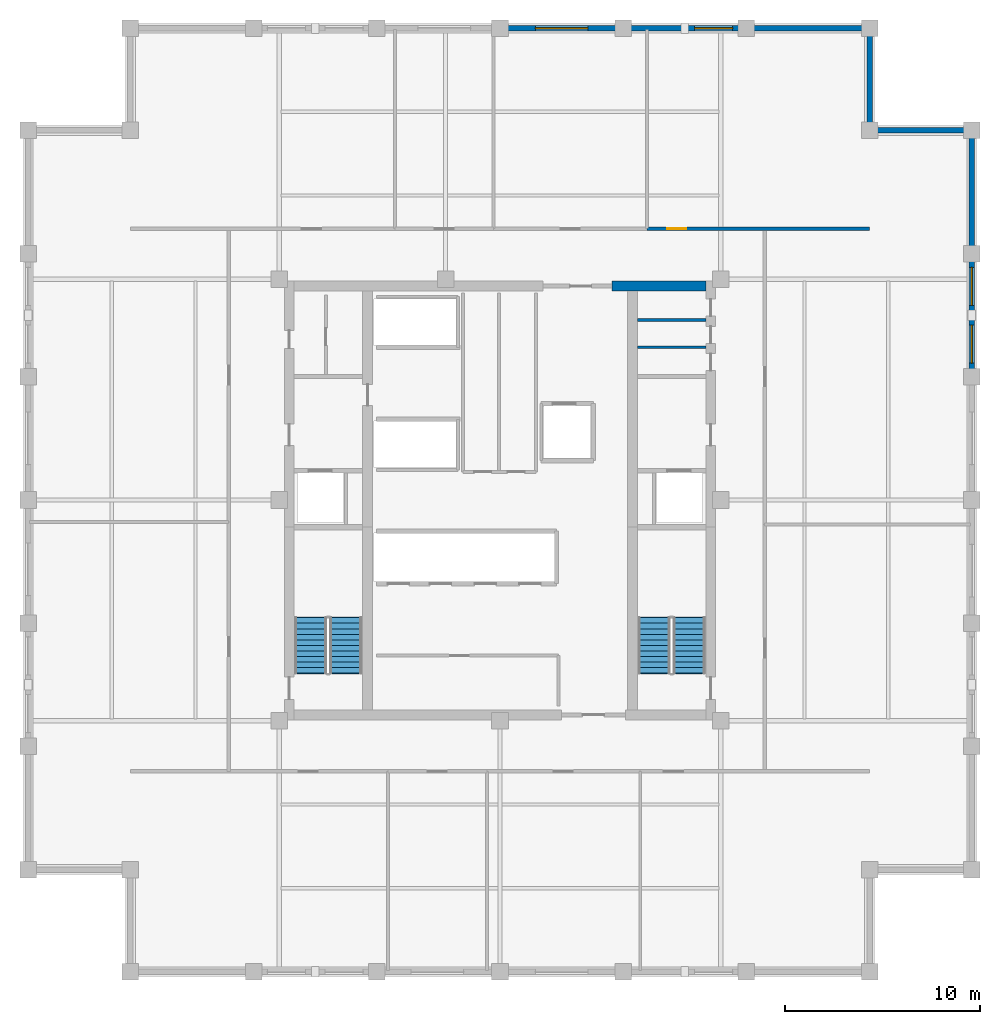
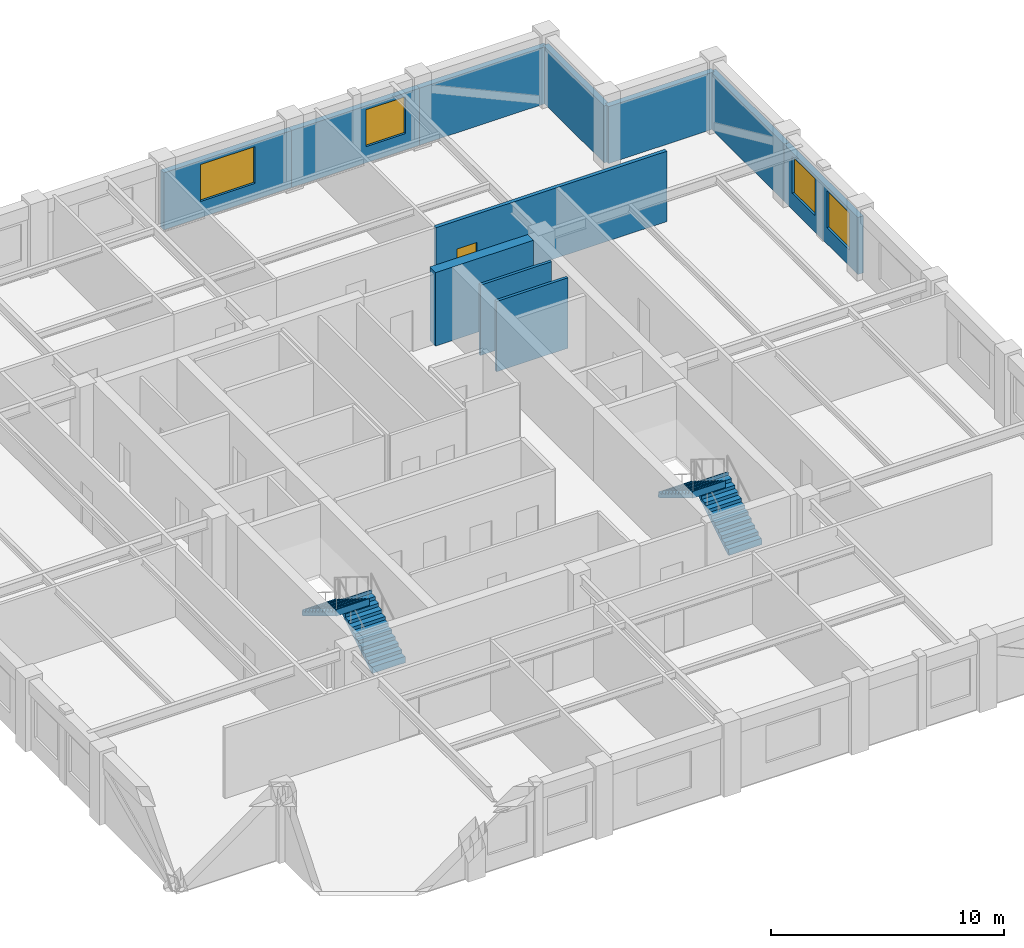
# One storey, part 5 of 6: 11 walls, 4 stair flights, 4 windows, 1 door, 5 openings, 2 elements without a shape of their own.
"""IFC4 building model written with IfcOpenShell, lengths in metres."""

from ifc_helpers import new_model, si_unit, direction, frame, frame_2d, origin, place, context, subcontext, project, spatial, polyline, rectangle, outline, extrude, material, layer, layer_set, type_object, element, fill, aggregate, save


model = new_model("IFC4")

# Units and contexts
model_context = context("Model", 3, precision=1e-05, world=origin(), true_north=direction((0.0, 1.0)))
body_context = subcontext(model_context, "Body", "Model", "MODEL_VIEW")
ifc_project = project(units=[si_unit("LENGTHUNIT", "METRE"), si_unit("AREAUNIT", "SQUARE_METRE"), si_unit("VOLUMEUNIT", "CUBIC_METRE"), si_unit("PLANEANGLEUNIT", "RADIAN"), si_unit("MASSUNIT", "GRAM", prefix="KILO")], contexts=[model_context])

# Site, building, storey
site_placement = place(None, origin())
site = spatial("IfcSite", under=ifc_project, at=site_placement, CompositionType="ELEMENT")
building_placement = place(site_placement, origin())
building = spatial("IfcBuilding", under=site, at=building_placement, Name="Nhamokura Convention Tower", CompositionType="ELEMENT")
storey_placement = place(building_placement, frame((0.0, 0.0, 202.300048828125)))
storey = spatial("IfcBuildingStorey", under=building, at=storey_placement, Name="L49", CompositionType="ELEMENT", Elevation=202.300048828125)

# Walls
ifc_material_1 = material(Name="Moisture-resistant tile-backer partition", Category="masonry")
ifc_layer_1 = layer(ifc_material_1, 0.139892578125)
ifc_layer_set_1 = layer_set([ifc_layer_1], Name="BathroomWetWall_140")
wall_type_1 = type_object("IfcWallType", Name="BathroomWetWall_140", PredefinedType="STANDARD", material=ifc_layer_set_1)
for number, where, z_axis, x_axis, name in (
    (1, (39.06005859375, 39.85009765625, 0.0), (0.0, 0.0, 1.0), (1.0, 0.0, 0.0), "L49 Wall INT-L49-CWNE1"),
    (2, (39.06005859375, 41.25, 0.0), (0.0, 0.0, 1.0), (1.0, 0.0, 0.0), "L49 Wall INT-L49-CWNE2"),
):
    element("IfcWall", number, at=place(storey_placement, frame(where, z_axis=z_axis, x_axis=x_axis)), inside=storey, type_object=wall_type_1, Name=name, PredefinedType="STANDARD", context=body_context, shape_type="SweptSolid", body=[
        extrude(rectangle(XDim=3.530029296875, YDim=0.139892578125, at=frame_2d((1.76513671875, 0.0))), origin(), (0.0, 0.0, 1.0), 3.68505859375),
    ])

# Wall, opening, window
ifc_material_2 = material(Name="Bronze-pigmented precast concrete C45/55", Category="concrete")
ifc_layer_2 = layer(ifc_material_2, 0.280029296875)
ifc_layer_set_2 = layer_set([ifc_layer_2], Name="BronzePrecastSpandrel_280")
wall_type_2 = type_object("IfcWallType", Name="BronzePrecastSpandrel_280", PredefinedType="USERDEFINED", material=ifc_layer_set_2)
wall_1_placement = place(storey_placement, frame((32.0, 56.25, 0.0), z_axis=(0.0, 0.0, 1.0), x_axis=(1.0, 0.0, 0.0)))
wall_1 = element("IfcWall", 3, at=wall_1_placement, inside=storey, type_object=wall_type_2, Name="L49 Masonry-Frame Wall NORTH 3", ObjectType="SPANDREL_WALL", PredefinedType="USERDEFINED", context=body_context, shape_type="SweptSolid", body=[
    extrude(rectangle(XDim=6.333251953125, YDim=0.280029296875, at=frame_2d((3.16650390625, 0.0))), origin(), (0.0, 0.0, 1.0), 2.98486328125),
])
opening_1_placement = place(wall_1_placement, frame((1.816650390625, 0.0, 0.85009765625)))
opening_1 = element("IfcOpeningElement", 4, at=opening_1_placement, cuts=wall_1, Name="Opening W-07", PredefinedType="OPENING", context=body_context, shape_type="SweptSolid", body=[
    extrude(rectangle(XDim=2.699951171875, YDim=1.93505859375, at=frame_2d((1.35009765625, 0.967529296875))), frame((0.0, 0.14990234375, 0.0), z_axis=(0.0, -1.0, 0.0), x_axis=(1.0, 0.0, 0.0)), (0.0, 0.0, 1.0), 0.300048828125),
])
ifc_material_3 = material(Name="Solar-control bronze low-E double glass", Category="glass")
window_type_1 = type_object("IfcWindowType", Name="OfficeModuleWindow_Z3_2700", PartitioningType="DOUBLE_PANEL_VERTICAL", PredefinedType="WINDOW", material=ifc_material_3)
window_1_placement = place(opening_1_placement, origin())
window_1 = element("IfcWindow", 5, at=window_1_placement, inside=storey, type_object=window_type_1, Name="L49 Facade Window NORTH 3", OverallHeight=1.93505859375, OverallWidth=2.699951171875, PartitioningType="SINGLE_PANEL", PredefinedType="WINDOW", context=body_context, shape_type="SweptSolid", body=[
    extrude(rectangle(XDim=2.699951171875, YDim=1.93505859375, at=frame_2d((1.35009765625, 0.967529296875))), frame((0.0, 0.030029296875, 0.0), z_axis=(0.0, -1.0, 0.0), x_axis=(1.0, 0.0, 0.0)), (0.0, 0.0, 1.0), 0.06005859375),
])
fill(opening_1, window_1)

wall_2_placement = place(storey_placement, frame((38.333251953125, 56.25, 0.0), z_axis=(0.0, 0.0, 1.0), x_axis=(1.0, 0.0, 0.0)))
wall_2 = element("IfcWall", 6, at=wall_2_placement, inside=storey, type_object=wall_type_2, Name="L49 Masonry-Frame Wall NORTH 4", ObjectType="SPANDREL_WALL", PredefinedType="USERDEFINED", context=body_context, shape_type="SweptSolid", body=[
    extrude(rectangle(XDim=6.33349609375, YDim=0.280029296875, at=frame_2d((3.166748046875, 0.0))), origin(), (0.0, 0.0, 1.0), 2.98486328125),
])
opening_2_placement = place(wall_2_placement, frame((3.675048828125, 0.0, 0.85009765625)))
opening_2 = element("IfcOpeningElement", 7, at=opening_2_placement, cuts=wall_2, Name="Opening W-08", PredefinedType="OPENING", context=body_context, shape_type="SweptSolid", body=[
    extrude(rectangle(XDim=1.949951171875, YDim=1.93505859375, at=frame_2d((0.97509765625, 0.967529296875))), frame((0.0, 0.14990234375, 0.0), z_axis=(0.0, -1.0, 0.0), x_axis=(1.0, 0.0, 0.0)), (0.0, 0.0, 1.0), 0.300048828125),
])
ifc_material_4 = material(Name="Solar-control bronze low-E double glass", Category="glass")
window_type_2 = type_object("IfcWindowType", Name="OfficeModuleWindow_Z3_1950", PartitioningType="SINGLE_PANEL", PredefinedType="WINDOW", material=ifc_material_4)
window_2_placement = place(opening_2_placement, origin())
window_2 = element("IfcWindow", 8, at=window_2_placement, inside=storey, type_object=window_type_2, Name="L49 Facade Window NORTH 4-3", OverallHeight=1.93505859375, OverallWidth=1.949951171875, PartitioningType="SINGLE_PANEL", PredefinedType="WINDOW", context=body_context, shape_type="SweptSolid", body=[
    extrude(rectangle(XDim=1.949951171875, YDim=1.93505859375, at=frame_2d((0.97509765625, 0.967529296875))), frame((0.0, 0.030029296875, 0.0), z_axis=(0.0, -1.0, 0.0), x_axis=(1.0, 0.0, 0.0)), (0.0, 0.0, 1.0), 0.06005859375),
])
fill(opening_2, window_2)

# Wall
wall_3_placement = place(storey_placement, frame((44.666748046875, 56.25, 0.0), z_axis=(0.0, 0.0, 1.0), x_axis=(1.0, 0.0, 0.0)))
element("IfcWall", 9, at=wall_3_placement, inside=storey, type_object=wall_type_2, Name="L49 Braced-Bay Precast Wall NORTH 5", ObjectType="SPANDREL_WALL", PredefinedType="USERDEFINED", context=body_context, shape_type="SweptSolid", body=[
    extrude(rectangle(XDim=6.333251953125, YDim=0.280029296875, at=frame_2d((3.16650390625, 0.0))), origin(), (0.0, 0.0, 1.0), 2.98486328125),
])

# Wall, openings, windows
wall_4_placement = place(storey_placement, frame((56.25, 44.666748046875, 0.0), z_axis=(0.0, 0.0, 1.0), x_axis=(0.0, -1.0, 0.0)))
wall_4 = element("IfcWall", 10, at=wall_4_placement, inside=storey, type_object=wall_type_2, Name="L49 Masonry-Frame Wall EAST 4", ObjectType="SPANDREL_WALL", PredefinedType="USERDEFINED", context=body_context, shape_type="SweptSolid", body=[
    extrude(rectangle(XDim=6.33349609375, YDim=0.280029296875, at=frame_2d((3.166748046875, 0.0))), origin(), (0.0, 0.0, 1.0), 2.98486328125),
])
opening_3_placement = place(wall_4_placement, frame((0.708251953125, 0.0, 0.85009765625)))
opening_3 = element("IfcOpeningElement", 11, at=opening_3_placement, cuts=wall_4, Name="Opening W-08", PredefinedType="OPENING", context=body_context, shape_type="SweptSolid", body=[
    extrude(rectangle(XDim=1.949951171875, YDim=1.93505859375, at=frame_2d((0.97509765625, 0.967529296875))), frame((0.0, 0.14990234375, 0.0), z_axis=(0.0, -1.0, 0.0), x_axis=(1.0, 0.0, 0.0)), (0.0, 0.0, 1.0), 0.300048828125),
])
opening_4_placement = place(wall_4_placement, frame((3.675048828125, 0.0, 0.85009765625)))
opening_4 = element("IfcOpeningElement", 12, at=opening_4_placement, cuts=wall_4, Name="Opening W-08", PredefinedType="OPENING", context=body_context, shape_type="SweptSolid", body=[
    extrude(rectangle(XDim=1.949951171875, YDim=1.93505859375, at=frame_2d((0.97509765625, 0.967529296875))), frame((0.0, 0.14990234375, 0.0), z_axis=(0.0, -1.0, 0.0), x_axis=(1.0, 0.0, 0.0)), (0.0, 0.0, 1.0), 0.300048828125),
])
window_3_placement = place(opening_3_placement, origin())
window_3 = element("IfcWindow", 13, at=window_3_placement, inside=storey, type_object=window_type_2, Name="L49 Facade Window EAST 4-1", OverallHeight=1.93505859375, OverallWidth=1.949951171875, PartitioningType="SINGLE_PANEL", PredefinedType="WINDOW", context=body_context, shape_type="SweptSolid", body=[
    extrude(rectangle(XDim=1.949951171875, YDim=1.93505859375, at=frame_2d((0.97509765625, 0.967529296875))), frame((0.0, 0.030029296875, 0.0), z_axis=(0.0, -1.0, 0.0), x_axis=(1.0, 0.0, 0.0)), (0.0, 0.0, 1.0), 0.06005859375),
])
fill(opening_3, window_3)
window_4_placement = place(opening_4_placement, origin())
window_4 = element("IfcWindow", 14, at=window_4_placement, inside=storey, type_object=window_type_2, Name="L49 Facade Window EAST 4-2", OverallHeight=1.93505859375, OverallWidth=1.949951171875, PartitioningType="SINGLE_PANEL", PredefinedType="WINDOW", context=body_context, shape_type="SweptSolid", body=[
    extrude(rectangle(XDim=1.949951171875, YDim=1.93505859375, at=frame_2d((0.97509765625, 0.967529296875))), frame((0.0, 0.030029296875, 0.0), z_axis=(0.0, -1.0, 0.0), x_axis=(1.0, 0.0, 0.0)), (0.0, 0.0, 1.0), 0.06005859375),
])
fill(opening_4, window_4)

# Walls
wall_5_placement = place(storey_placement, frame((56.25, 51.0, 0.0), z_axis=(0.0, 0.0, 1.0), x_axis=(0.0, -1.0, 0.0)))
element("IfcWall", 15, at=wall_5_placement, inside=storey, type_object=wall_type_2, Name="L49 Braced-Bay Precast Wall EAST 5", ObjectType="SPANDREL_WALL", PredefinedType="USERDEFINED", context=body_context, shape_type="SweptSolid", body=[
    extrude(rectangle(XDim=6.333251953125, YDim=0.280029296875, at=frame_2d((3.16650390625, 0.0))), origin(), (0.0, 0.0, 1.0), 2.98486328125),
])
for number, where, z_axis, x_axis, name in (
    (16, (51.0, 51.0, 0.0), (0.0, 0.0, 1.0), (1.0, 0.0, 0.0), "L49 Notched Corner Wall NE1"),
    (17, (51.0, 56.25, 0.0), (0.0, 0.0, 1.0), (0.0, -1.0, 0.0), "L49 Notched Corner Wall NE2"),
):
    element("IfcWall", number, at=place(storey_placement, frame(where, z_axis=z_axis, x_axis=x_axis)), inside=storey, type_object=wall_type_2, Name=name, ObjectType="SPANDREL_WALL", PredefinedType="USERDEFINED", context=body_context, shape_type="SweptSolid", body=[
        extrude(rectangle(XDim=5.25, YDim=0.280029296875, at=frame_2d((2.625, 0.0))), origin(), (0.0, 0.0, 1.0), 2.98486328125),
    ])
ifc_material_5 = material(Name="Concrete C60/75", Category="concrete")
ifc_layer_3 = layer(ifc_material_5, 0.5)
ifc_layer_set_3 = layer_set([ifc_layer_3], Name="CoreShearWall_500")
wall_type_3 = type_object("IfcWallType", Name="CoreShearWall_500", PredefinedType="SHEAR", material=ifc_layer_set_3)
wall_6_placement = place(storey_placement, frame((37.75, 43.0, 0.0), z_axis=(0.0, 0.0, 1.0), x_axis=(1.0, 0.0, 0.0)))
element("IfcWall", 18, at=wall_6_placement, inside=storey, type_object=wall_type_3, Name="L49 Core Shear Wall CW-N2", PredefinedType="SHEAR", context=body_context, shape_type="SweptSolid", body=[
    extrude(rectangle(XDim=4.840087890625, YDim=0.5, at=frame_2d((2.419921875, 0.0))), origin(), (0.0, 0.0, 1.0), 3.849853515625),
])

# Wall, opening, door
ifc_material_6 = material(Name="Fire-rated gypsum and masonry partition", Category="masonry")
ifc_layer_4 = layer(ifc_material_6, 0.179931640625)
ifc_layer_set_4 = layer_set([ifc_layer_4], Name="CorridorRatedWall_180")
wall_type_4 = type_object("IfcWallType", Name="CorridorRatedWall_180", PredefinedType="STANDARD", material=ifc_layer_set_4)
wall_7_placement = place(storey_placement, frame((39.558349609375, 45.949951171875, 0.0), z_axis=(0.0, 0.0, 1.0), x_axis=(1.0, 0.0, 0.0)))
wall_7 = element("IfcWall", 19, at=wall_7_placement, inside=storey, type_object=wall_type_4, Name="L49 Wall INT-L49-CW-N03", PredefinedType="STANDARD", context=body_context, shape_type="SweptSolid", body=[
    extrude(rectangle(XDim=11.441650390625, YDim=0.179931640625, at=frame_2d((5.720703125, 0.0))), origin(), (0.0, 0.0, 1.0), 3.68505859375),
])
opening_5_placement = place(wall_7_placement, frame((1.0458984375, 0.0, 0.0)))
opening_5 = element("IfcOpeningElement", 20, at=opening_5_placement, cuts=wall_7, Name="Opening D-08", PredefinedType="OPENING", context=body_context, shape_type="SweptSolid", body=[
    extrude(rectangle(XDim=0.97998046875, YDim=2.199951171875, at=frame_2d((0.489990234375, 1.10009765625))), frame((0.0, 0.099853515625, 0.0), z_axis=(0.0, -1.0, 0.0), x_axis=(1.0, 0.0, 0.0)), (0.0, 0.0, 1.0), 0.199951171875),
])
ifc_material_7 = material(Name="Solid oak hardwood", Category="wood")
door_type = type_object("IfcDoorType", Name="OfficeEntryDoor_980", OperationType="NOTDEFINED", PredefinedType="DOOR", material=ifc_material_7)
door_placement = place(opening_5_placement, origin())
door = element("IfcDoor", 21, at=door_placement, inside=storey, type_object=door_type, Name="L49 Private Office N04 Door", OperationType="SINGLE_SWING_RIGHT", OverallHeight=2.199951171875, OverallWidth=0.97998046875, PredefinedType="DOOR", context=body_context, shape_type="SweptSolid", body=[
    extrude(rectangle(XDim=0.97998046875, YDim=2.199951171875, at=frame_2d((0.489990234375, 1.10009765625))), frame((0.0, 0.02490234375, 0.0), z_axis=(0.0, -1.0, 0.0), x_axis=(1.0, 0.0, 0.0)), (0.0, 0.0, 1.0), 0.050048828125),
])
fill(opening_5, door)

# Stair, stair flights
ifc_material_8 = material(Name="Concrete C40/50", Category="concrete")
stair_type = type_object("IfcStairType", Name="TowerCoreStair_1650", PredefinedType="HALF_TURN_STAIR", material=ifc_material_8)
stair_1_placement = place(storey_placement, origin())
stair_1 = element("IfcStair", 22, at=stair_1_placement, inside=storey, type_object=stair_type, Name="L49 West Core Smokeproof Stair ST-01", PredefinedType="HALF_TURN_STAIR")
ifc_material_9 = material(Name="Concrete C40/50", Category="concrete")
stair_flight_type = type_object("IfcStairFlightType", Name="TowerCoreStair_1650_Flight", PredefinedType="STRAIGHT", material=ifc_material_9)
stair_flight_1_placement = place(storey_placement, frame((24.074951171875, 23.10009765625, 0.0), z_axis=(0.0, 0.0, 1.0), x_axis=(0.0, 1.0, 0.0)))
stair_flight_1 = element("IfcStairFlight", 23, at=stair_flight_1_placement, type_object=stair_flight_type, Name="ST-01 flight 1", NumberOfRisers=11, NumberOfTreads=10, PredefinedType="STRAIGHT", RiserHeight=0.175, TreadLength=0.285, context=body_context, shape_type="SweptSolid", body=[
    extrude(outline(polyline([(-0.0419921875, 0.0), (0.0, 0.175048828125), (0.284912109375, 0.175048828125), (0.284912109375, 0.35009765625), (0.570068359375, 0.35009765625), (0.570068359375, 0.52490234375), (0.85498046875, 0.52490234375), (0.85498046875, 0.699951171875), (1.139892578125, 0.699951171875), (1.139892578125, 0.875), (1.425048828125, 0.875), (1.425048828125, 1.050048828125), (1.7099609375, 1.050048828125), (1.7099609375, 1.22509765625), (1.9951171875, 1.22509765625), (1.9951171875, 1.39990234375), (2.280029296875, 1.39990234375), (2.280029296875, 1.574951171875), (2.56494140625, 1.574951171875), (2.56494140625, 1.75), (2.85009765625, 1.75), (2.85009765625, 1.925048828125), (2.89208984375, 1.925048828125), (2.89208984375, 1.573974609375), (2.85009765625, 1.573974609375), (0.286376953125, 0.0), (0.02001953125, -0.1298828125), (-0.0419921875, -0.1298828125), (-0.0419921875, 0.0)])), frame((0.0, 0.824951171875, 0.0), z_axis=(0.0, -1.0, 0.0), x_axis=(1.0, 0.0, 0.0)), (0.0, 0.0, 1.0), 1.64990234375),
])
stair_flight_2_placement = place(storey_placement, frame((22.27490234375, 25.949951171875, 1.925048828125), z_axis=(0.0, 0.0, 1.0), x_axis=(0.0, -1.0, 0.0)))
stair_flight_2 = element("IfcStairFlight", 24, at=stair_flight_2_placement, type_object=stair_flight_type, Name="ST-01 flight 2", NumberOfRisers=11, NumberOfTreads=10, PredefinedType="STRAIGHT", RiserHeight=0.175, TreadLength=0.285, context=body_context, shape_type="SweptSolid", body=[
    extrude(outline(polyline([(-0.0419921875, 0.0), (0.0, 0.175048828125), (0.284912109375, 0.175048828125), (0.284912109375, 0.35009765625), (0.570068359375, 0.35009765625), (0.570068359375, 0.52490234375), (0.85498046875, 0.52490234375), (0.85498046875, 0.699951171875), (1.139892578125, 0.699951171875), (1.139892578125, 0.875), (1.425048828125, 0.875), (1.425048828125, 1.050048828125), (1.7099609375, 1.050048828125), (1.7099609375, 1.22509765625), (1.9951171875, 1.22509765625), (1.9951171875, 1.39990234375), (2.280029296875, 1.39990234375), (2.280029296875, 1.574951171875), (2.56494140625, 1.574951171875), (2.56494140625, 1.75), (2.85009765625, 1.75), (2.85009765625, 1.925048828125), (2.89208984375, 1.925048828125), (2.89208984375, 1.573974609375), (2.85009765625, 1.573974609375), (0.286376953125, 0.0), (0.02001953125, -0.1298828125), (-0.0419921875, -0.1298828125), (-0.0419921875, 0.0)])), frame((0.0, 0.824951171875, 0.0), z_axis=(0.0, -1.0, 0.0), x_axis=(1.0, 0.0, 0.0)), (0.0, 0.0, 1.0), 1.64990234375),
])
aggregate(stair_1, [stair_flight_1, stair_flight_2])

stair_2_placement = place(storey_placement, origin())
stair_2 = element("IfcStair", 25, at=stair_2_placement, inside=storey, type_object=stair_type, Name="L49 East Core Smokeproof Stair ST-02", PredefinedType="HALF_TURN_STAIR")
stair_flight_3_placement = place(storey_placement, frame((41.72509765625, 23.10009765625, 0.0), z_axis=(0.0, 0.0, 1.0), x_axis=(0.0, 1.0, 0.0)))
stair_flight_3 = element("IfcStairFlight", 26, at=stair_flight_3_placement, type_object=stair_flight_type, Name="ST-02 flight 1", NumberOfRisers=11, NumberOfTreads=10, PredefinedType="STRAIGHT", RiserHeight=0.175, TreadLength=0.285, context=body_context, shape_type="SweptSolid", body=[
    extrude(outline(polyline([(-0.0419921875, 0.0), (0.0, 0.175048828125), (0.284912109375, 0.175048828125), (0.284912109375, 0.35009765625), (0.570068359375, 0.35009765625), (0.570068359375, 0.52490234375), (0.85498046875, 0.52490234375), (0.85498046875, 0.699951171875), (1.139892578125, 0.699951171875), (1.139892578125, 0.875), (1.425048828125, 0.875), (1.425048828125, 1.050048828125), (1.7099609375, 1.050048828125), (1.7099609375, 1.22509765625), (1.9951171875, 1.22509765625), (1.9951171875, 1.39990234375), (2.280029296875, 1.39990234375), (2.280029296875, 1.574951171875), (2.56494140625, 1.574951171875), (2.56494140625, 1.75), (2.85009765625, 1.75), (2.85009765625, 1.925048828125), (2.89208984375, 1.925048828125), (2.89208984375, 1.573974609375), (2.85009765625, 1.573974609375), (0.286376953125, 0.0), (0.02001953125, -0.1298828125), (-0.0419921875, -0.1298828125), (-0.0419921875, 0.0)])), frame((0.0, 0.824951171875, 0.0), z_axis=(0.0, -1.0, 0.0), x_axis=(1.0, 0.0, 0.0)), (0.0, 0.0, 1.0), 1.64990234375),
])
stair_flight_4_placement = place(storey_placement, frame((39.925048828125, 25.949951171875, 1.925048828125), z_axis=(0.0, 0.0, 1.0), x_axis=(0.0, -1.0, 0.0)))
stair_flight_4 = element("IfcStairFlight", 27, at=stair_flight_4_placement, type_object=stair_flight_type, Name="ST-02 flight 2", NumberOfRisers=11, NumberOfTreads=10, PredefinedType="STRAIGHT", RiserHeight=0.175, TreadLength=0.285, context=body_context, shape_type="SweptSolid", body=[
    extrude(outline(polyline([(-0.0419921875, 0.0), (0.0, 0.175048828125), (0.284912109375, 0.175048828125), (0.284912109375, 0.35009765625), (0.570068359375, 0.35009765625), (0.570068359375, 0.52490234375), (0.85498046875, 0.52490234375), (0.85498046875, 0.699951171875), (1.139892578125, 0.699951171875), (1.139892578125, 0.875), (1.425048828125, 0.875), (1.425048828125, 1.050048828125), (1.7099609375, 1.050048828125), (1.7099609375, 1.22509765625), (1.9951171875, 1.22509765625), (1.9951171875, 1.39990234375), (2.280029296875, 1.39990234375), (2.280029296875, 1.574951171875), (2.56494140625, 1.574951171875), (2.56494140625, 1.75), (2.85009765625, 1.75), (2.85009765625, 1.925048828125), (2.89208984375, 1.925048828125), (2.89208984375, 1.573974609375), (2.85009765625, 1.573974609375), (0.286376953125, 0.0), (0.02001953125, -0.1298828125), (-0.0419921875, -0.1298828125), (-0.0419921875, 0.0)])), frame((0.0, 0.824951171875, 0.0), z_axis=(0.0, -1.0, 0.0), x_axis=(1.0, 0.0, 0.0)), (0.0, 0.0, 1.0), 1.64990234375),
])
aggregate(stair_2, [stair_flight_3, stair_flight_4])

save(model, "model.ifc")
